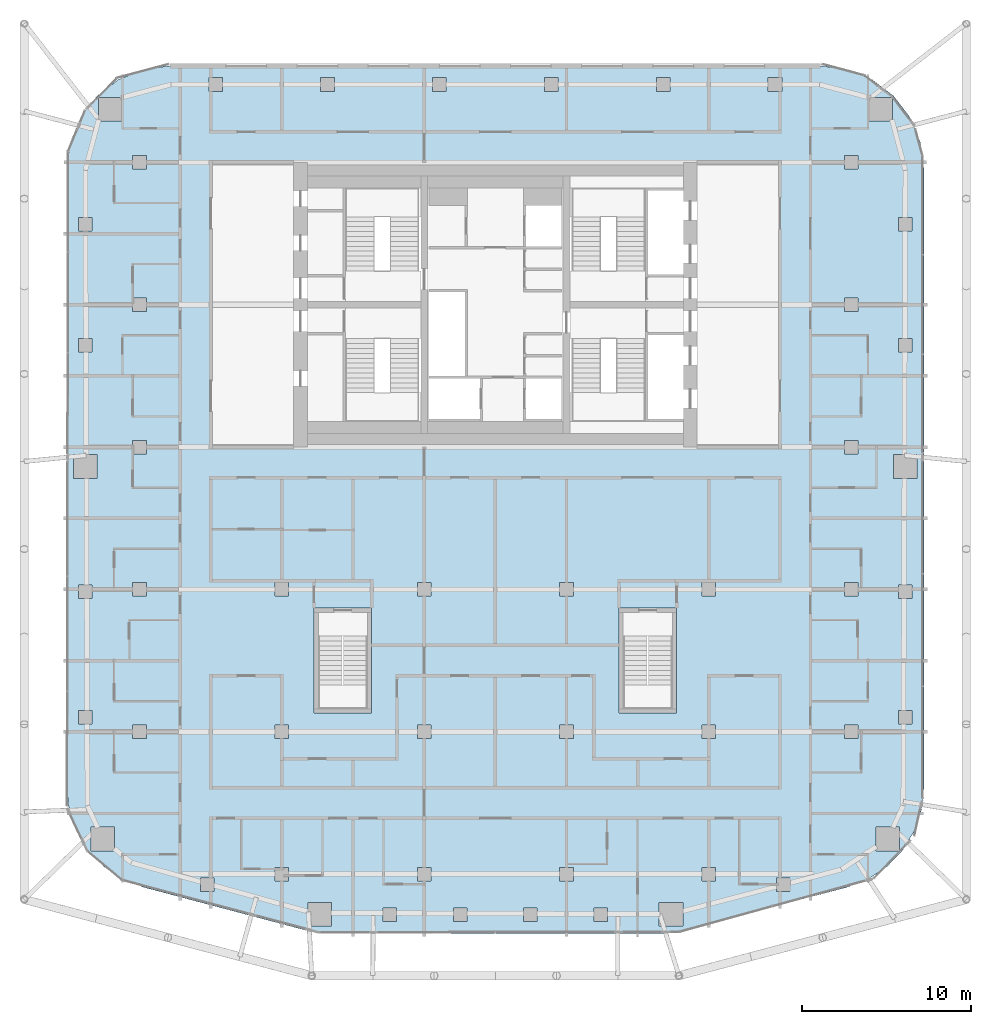
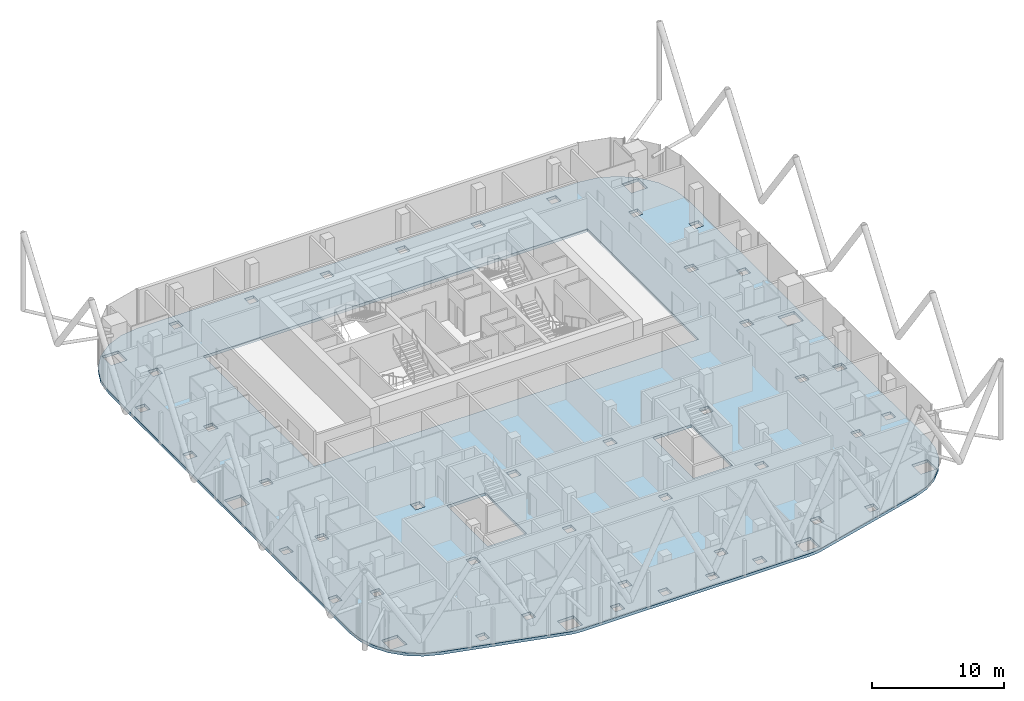
# One storey, part 17 of 31: 1 slab.
"""IFC4 building model written with IfcOpenShell, lengths in metres."""

from ifc_helpers import new_model, si_unit, direction, frame, origin, place, context, subcontext, project, spatial, polyline, outline, extrude, material, layer, layer_set, type_object, element, save


model = new_model("IFC4")

# Units and contexts
model_context = context("Model", 3, precision=1e-05, world=origin(), true_north=direction((0.0, 1.0)))
body_context = subcontext(model_context, "Body", "Model", "MODEL_VIEW")
ifc_project = project(units=[si_unit("LENGTHUNIT", "METRE"), si_unit("AREAUNIT", "SQUARE_METRE"), si_unit("VOLUMEUNIT", "CUBIC_METRE"), si_unit("PLANEANGLEUNIT", "RADIAN"), si_unit("MASSUNIT", "GRAM", prefix="KILO")], contexts=[model_context])

# Site, building, storey
site_placement = place(None, origin())
site = spatial("IfcSite", under=ifc_project, at=site_placement, CompositionType="ELEMENT")
building_placement = place(site_placement, origin())
building = spatial("IfcBuilding", under=site, at=building_placement, Name="Marenta Gate Hotel Tower", CompositionType="ELEMENT")
storey_placement = place(building_placement, frame((0.0, 0.0, 191.300048828125)))
storey = spatial("IfcBuildingStorey", under=building, at=storey_placement, Name="L43", CompositionType="ELEMENT", Elevation=191.300048828125)

# Slab
ifc_material = material(Name="Concrete C35", Category="concrete")
ifc_layer = layer(ifc_material, 0.260009765625)
ifc_layer_set = layer_set([ifc_layer], Name="Concrete C35")
slab_type = type_object("IfcSlabType", Name="Concrete floor slab 260", PredefinedType="FLOOR", material=ifc_layer_set)
slab_placement = place(storey_placement, frame((0.0, 0.0, -0.260009765625)))
element("IfcSlab", 1, at=slab_placement, inside=storey, type_object=slab_type, Name="L43-SL-1", PredefinedType="FLOOR", context=body_context, shape_type="SweptSolid", body=[
    extrude(outline(polyline([(-23.11376953125, -24.76416015625), (-24.035400390625, -23.803955078125), (-24.72705078125, -22.6669921875), (-25.155517578125, -21.4072265625), (-25.300048828125, -20.08984375), (-25.300048828125, 16.406494140625), (-25.093017578125, 17.97900390625), (-24.483642578125, 19.450439453125), (-23.513916015625, 20.7138671875), (-22.25048828125, 21.68359375), (-20.779052734375, 22.29296875), (-19.20654296875, 22.5), (19.20654296875, 22.5), (20.779052734375, 22.29296875), (22.25048828125, 21.68359375), (23.513916015625, 20.7138671875), (24.483642578125, 19.450439453125), (25.093017578125, 17.97900390625), (25.300048828125, 16.406494140625), (25.300048828125, -20.08984375), (25.155517578125, -21.4072265625), (24.72705078125, -22.6669921875), (24.035400390625, -23.803955078125), (23.11376953125, -24.76416015625), (22.005859375, -25.501220703125), (20.76953125, -25.978759765625), (11.026611328125, -28.563720703125), (10.508544921875, -28.665771484375), (9.981689453125, -28.699951171875), (-9.981689453125, -28.699951171875), (-10.508544921875, -28.665771484375), (-11.026611328125, -28.563720703125), (-20.76953125, -25.978759765625), (-22.005859375, -25.501220703125), (-23.11376953125, -24.76416015625)]), holes=[polyline([(-16.800048828125, 0.0), (16.800048828125, 0.0), (16.800048828125, 16.800048828125), (-16.800048828125, 16.800048828125), (-16.800048828125, 0.0)]), polyline([(-16.606689453125, -25.439208984375), (-17.40673828125, -25.439208984375), (-17.40673828125, -26.239013671875), (-16.606689453125, -26.239013671875), (-16.606689453125, -25.439208984375)]), polyline([(-12.199951171875, -25.60009765625), (-12.199951171875, -24.800048828125), (-13.0, -24.800048828125), (-13.0, -25.60009765625), (-12.199951171875, -25.60009765625)]), polyline([(-22.462890625, -23.8330078125), (-22.462890625, -22.43310546875), (-23.863037109375, -22.43310546875), (-23.863037109375, -23.8330078125), (-22.462890625, -23.8330078125)]), polyline([(-12.199951171875, -16.39990234375), (-13.0, -16.39990234375), (-13.0, -17.199951171875), (-12.199951171875, -17.199951171875), (-12.199951171875, -16.39990234375)]), polyline([(-20.60009765625, -17.199951171875), (-20.60009765625, -16.39990234375), (-21.39990234375, -16.39990234375), (-21.39990234375, -17.199951171875), (-20.60009765625, -17.199951171875)]), polyline([(-23.800048828125, -16.351806640625), (-23.800048828125, -15.552001953125), (-24.60009765625, -15.552001953125), (-24.60009765625, -16.351806640625), (-23.800048828125, -16.351806640625)]), polyline([(-23.800048828125, -8.15087890625), (-24.60009765625, -8.15087890625), (-24.60009765625, -8.950927734375), (-23.800048828125, -8.950927734375), (-23.800048828125, -8.15087890625)]), polyline([(-12.199951171875, -8.800048828125), (-12.199951171875, -8.0), (-13.0, -8.0), (-13.0, -8.800048828125), (-12.199951171875, -8.800048828125)]), polyline([(-20.60009765625, -8.800048828125), (-20.60009765625, -8.0), (-21.39990234375, -8.0), (-21.39990234375, -8.800048828125), (-20.60009765625, -8.800048828125)]), polyline([(-23.5, -0.449951171875), (-24.89990234375, -0.449951171875), (-24.89990234375, -1.85009765625), (-23.5, -1.85009765625), (-23.5, -0.449951171875)]), polyline([(-20.60009765625, -0.39990234375), (-20.60009765625, 0.39990234375), (-21.39990234375, 0.39990234375), (-21.39990234375, -0.39990234375), (-20.60009765625, -0.39990234375)]), polyline([(-23.800048828125, 5.603271484375), (-23.800048828125, 6.4033203125), (-24.60009765625, 6.4033203125), (-24.60009765625, 5.603271484375), (-23.800048828125, 5.603271484375)]), polyline([(-20.60009765625, 8.800048828125), (-21.39990234375, 8.800048828125), (-21.39990234375, 8.0), (-20.60009765625, 8.0), (-20.60009765625, 8.800048828125)]), polyline([(-23.800048828125, 12.75634765625), (-23.800048828125, 13.556396484375), (-24.60009765625, 13.556396484375), (-24.60009765625, 12.75634765625), (-23.800048828125, 12.75634765625)]), polyline([(-20.60009765625, 16.39990234375), (-20.60009765625, 17.199951171875), (-21.39990234375, 17.199951171875), (-21.39990234375, 16.39990234375), (-20.60009765625, 16.39990234375)]), polyline([(-22.035400390625, 20.635498046875), (-23.435546875, 20.635498046875), (-23.435546875, 19.235595703125), (-22.035400390625, 19.235595703125), (-22.035400390625, 20.635498046875)]), polyline([(-16.10693359375, 21.0), (-16.10693359375, 21.800048828125), (-16.906982421875, 21.800048828125), (-16.906982421875, 21.0), (-16.10693359375, 21.0)]), polyline([(-5.820068359375, -28.0), (-5.820068359375, -27.199951171875), (-6.6201171875, -27.199951171875), (-6.6201171875, -28.0), (-5.820068359375, -28.0)]), polyline([(6.6201171875, -27.199951171875), (5.820068359375, -27.199951171875), (5.820068359375, -28.0), (6.6201171875, -28.0), (6.6201171875, -27.199951171875)]), polyline([(2.473388671875, -28.0), (2.473388671875, -27.199951171875), (1.67333984375, -27.199951171875), (1.67333984375, -28.0), (2.473388671875, -28.0)]), polyline([(-1.67333984375, -28.0), (-1.67333984375, -27.199951171875), (-2.473388671875, -27.199951171875), (-2.473388671875, -28.0), (-1.67333984375, -28.0)]), polyline([(-9.666259765625, -28.27490234375), (-9.666259765625, -26.874755859375), (-11.06640625, -26.874755859375), (-11.06640625, -28.27490234375), (-9.666259765625, -28.27490234375)]), polyline([(11.06640625, -28.27490234375), (11.06640625, -26.874755859375), (9.666259765625, -26.874755859375), (9.666259765625, -28.27490234375), (11.06640625, -28.27490234375)]), polyline([(13.0, -25.60009765625), (13.0, -24.800048828125), (12.199951171875, -24.800048828125), (12.199951171875, -25.60009765625), (13.0, -25.60009765625)]), polyline([(4.60009765625, -25.60009765625), (4.60009765625, -24.800048828125), (3.800048828125, -24.800048828125), (3.800048828125, -25.60009765625), (4.60009765625, -25.60009765625)]), polyline([(-3.800048828125, -24.800048828125), (-4.60009765625, -24.800048828125), (-4.60009765625, -25.60009765625), (-3.800048828125, -25.60009765625), (-3.800048828125, -24.800048828125)]), polyline([(4.60009765625, -17.199951171875), (4.60009765625, -16.39990234375), (3.800048828125, -16.39990234375), (3.800048828125, -17.199951171875), (4.60009765625, -17.199951171875)]), polyline([(-3.800048828125, -17.199951171875), (-3.800048828125, -16.39990234375), (-4.60009765625, -16.39990234375), (-4.60009765625, -17.199951171875), (-3.800048828125, -17.199951171875)]), polyline([(4.60009765625, -8.0), (3.800048828125, -8.0), (3.800048828125, -8.800048828125), (4.60009765625, -8.800048828125), (4.60009765625, -8.0)]), polyline([(-3.800048828125, -8.800048828125), (-3.800048828125, -8.0), (-4.60009765625, -8.0), (-4.60009765625, -8.800048828125), (-3.800048828125, -8.800048828125)]), polyline([(-2.9013671875, 21.0), (-2.9013671875, 21.800048828125), (-3.701416015625, 21.800048828125), (-3.701416015625, 21.0), (-2.9013671875, 21.0)]), polyline([(3.701416015625, 21.800048828125), (2.9013671875, 21.800048828125), (2.9013671875, 21.0), (3.701416015625, 21.0), (3.701416015625, 21.800048828125)]), polyline([(10.30419921875, 21.0), (10.30419921875, 21.800048828125), (9.504150390625, 21.800048828125), (9.504150390625, 21.0), (10.30419921875, 21.0)]), polyline([(-9.504150390625, 21.0), (-9.504150390625, 21.800048828125), (-10.30419921875, 21.800048828125), (-10.30419921875, 21.0), (-9.504150390625, 21.0)]), polyline([(17.40673828125, -25.439208984375), (16.606689453125, -25.439208984375), (16.606689453125, -26.239013671875), (17.40673828125, -26.239013671875), (17.40673828125, -25.439208984375)]), polyline([(23.863037109375, -23.8330078125), (23.863037109375, -22.43310546875), (22.462890625, -22.43310546875), (22.462890625, -23.8330078125), (23.863037109375, -23.8330078125)]), polyline([(13.0, -17.199951171875), (13.0, -16.39990234375), (12.199951171875, -16.39990234375), (12.199951171875, -17.199951171875), (13.0, -17.199951171875)]), polyline([(21.39990234375, -16.39990234375), (20.60009765625, -16.39990234375), (20.60009765625, -17.199951171875), (21.39990234375, -17.199951171875), (21.39990234375, -16.39990234375)]), polyline([(24.60009765625, -16.351806640625), (24.60009765625, -15.552001953125), (23.800048828125, -15.552001953125), (23.800048828125, -16.351806640625), (24.60009765625, -16.351806640625)]), polyline([(24.60009765625, -8.950927734375), (24.60009765625, -8.15087890625), (23.800048828125, -8.15087890625), (23.800048828125, -8.950927734375), (24.60009765625, -8.950927734375)]), polyline([(13.0, -8.0), (12.199951171875, -8.0), (12.199951171875, -8.800048828125), (13.0, -8.800048828125), (13.0, -8.0)]), polyline([(21.39990234375, -8.800048828125), (21.39990234375, -8.0), (20.60009765625, -8.0), (20.60009765625, -8.800048828125), (21.39990234375, -8.800048828125)]), polyline([(24.89990234375, -1.85009765625), (24.89990234375, -0.449951171875), (23.5, -0.449951171875), (23.5, -1.85009765625), (24.89990234375, -1.85009765625)]), polyline([(21.39990234375, 0.39990234375), (20.60009765625, 0.39990234375), (20.60009765625, -0.39990234375), (21.39990234375, -0.39990234375), (21.39990234375, 0.39990234375)]), polyline([(24.60009765625, 5.603271484375), (24.60009765625, 6.4033203125), (23.800048828125, 6.4033203125), (23.800048828125, 5.603271484375), (24.60009765625, 5.603271484375)]), polyline([(21.39990234375, 8.0), (21.39990234375, 8.800048828125), (20.60009765625, 8.800048828125), (20.60009765625, 8.0), (21.39990234375, 8.0)]), polyline([(24.60009765625, 12.75634765625), (24.60009765625, 13.556396484375), (23.800048828125, 13.556396484375), (23.800048828125, 12.75634765625), (24.60009765625, 12.75634765625)]), polyline([(21.39990234375, 16.39990234375), (21.39990234375, 17.199951171875), (20.60009765625, 17.199951171875), (20.60009765625, 16.39990234375), (21.39990234375, 16.39990234375)]), polyline([(23.435546875, 19.235595703125), (23.435546875, 20.635498046875), (22.035400390625, 20.635498046875), (22.035400390625, 19.235595703125), (23.435546875, 19.235595703125)]), polyline([(16.906982421875, 21.0), (16.906982421875, 21.800048828125), (16.10693359375, 21.800048828125), (16.10693359375, 21.0), (16.906982421875, 21.0)]), polyline([(-7.300048828125, -15.699951171875), (-7.300048828125, -9.5), (-10.699951171875, -9.5), (-10.699951171875, -15.699951171875), (-7.300048828125, -15.699951171875)]), polyline([(10.699951171875, -15.699951171875), (10.699951171875, -9.5), (7.300048828125, -9.5), (7.300048828125, -15.699951171875), (10.699951171875, -15.699951171875)])]), origin(), (0.0, 0.0, 1.0), 0.260009765625),
])

save(model, "model.ifc")
